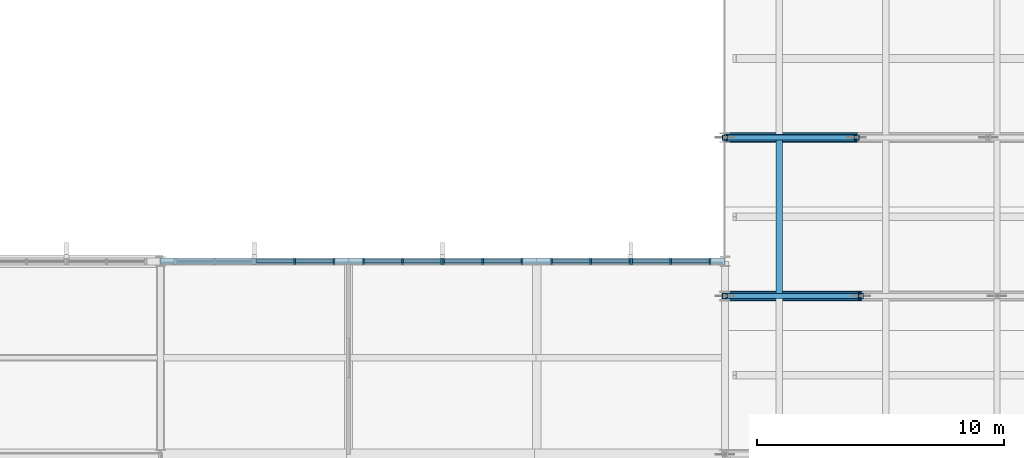
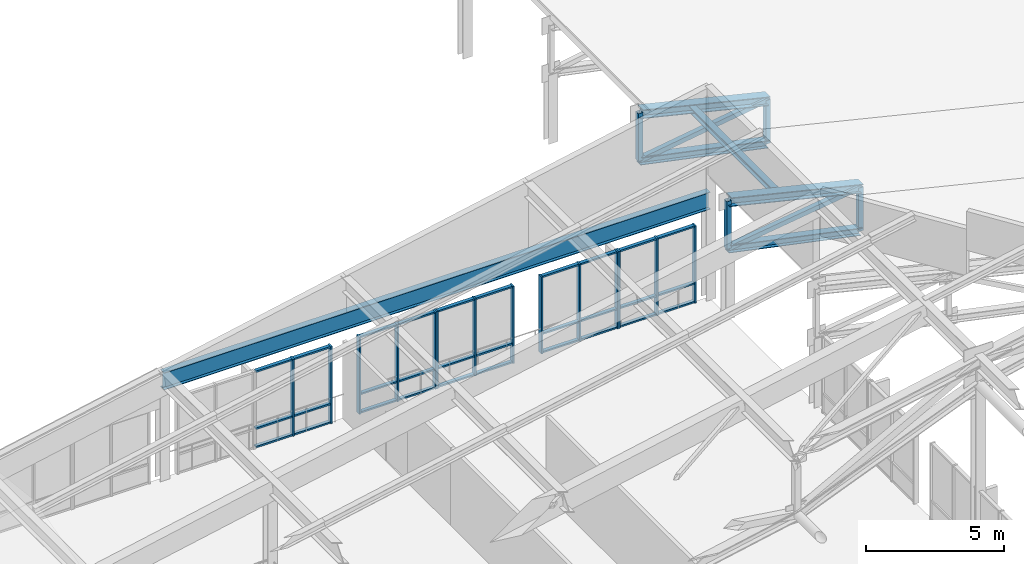
# One storey, part 32 of 73: 55 members, 1 beam, 5 elements without a shape of their own.
"""IFC4 building model written with IfcOpenShell, lengths in metres."""

from ifc_helpers import new_model, si_unit, direction, frame, origin, origin_2d, place, context, subcontext, project, spatial, rectangle, hollow_rectangle, i_section, extrude, material, material_profile, profile_set, type_object, element, aggregate, save


model = new_model("IFC4")

# Units and contexts
model_context = context("Model", 3, precision=1e-05, world=origin(), true_north=direction((0.0, 1.0)))
body_context = subcontext(model_context, "Body", "Model", "MODEL_VIEW")
ifc_project = project(units=[si_unit("LENGTHUNIT", "METRE"), si_unit("AREAUNIT", "SQUARE_METRE"), si_unit("VOLUMEUNIT", "CUBIC_METRE"), si_unit("PLANEANGLEUNIT", "RADIAN"), si_unit("MASSUNIT", "GRAM", prefix="KILO")], contexts=[model_context])

# Site, building, storey
site_placement = place(None, origin())
site = spatial("IfcSite", under=ifc_project, at=site_placement, CompositionType="ELEMENT")
building_placement = place(site_placement, origin())
building = spatial("IfcBuilding", under=site, at=building_placement, Name="Vervanel Yard Central Library", CompositionType="ELEMENT")
storey_placement = place(building_placement, frame((0.0, 0.0, 12.780029296875)))
storey = spatial("IfcBuildingStorey", under=building, at=storey_placement, Name="L03", CompositionType="ELEMENT", Elevation=12.780029296875)

# Members
ifc_material_1 = material(Name="Steel ASTM A992 Grade 50", Category="steel")
ifc_material_profile_1 = material_profile(ifc_material_1, i_section(OverallWidth=0.256591796875, OverallDepth=0.26416015625, WebThickness=0.011962890625, FlangeThickness=0.01953125, at=origin_2d()), Name="W10X68", Category="steel")
ifc_profile_set_1 = profile_set([ifc_material_profile_1], Name="Steel ASTM A992 Grade 50")
member_type_1 = type_object("IfcMemberType", Name="Auditorium Roof Purlin W10X68", PredefinedType="PURLIN", material=ifc_profile_set_1)
member_1_placement = place(storey_placement, frame((148.199951171875, 80.800048828125, 4.530029296875), z_axis=(0.0, 1.0, 0.0), x_axis=(-1.0, 0.0, 0.0)))
element("IfcMember", 1, at=member_1_placement, inside=storey, type_object=member_type_1, Name="Auditorium Roof Purlin X=148.2 Y=80.8-87.2", PredefinedType="PURLIN", context=body_context, shape_type="SweptSolid", body=[
    extrude(i_section(OverallWidth=0.256591796875, OverallDepth=0.26416015625, WebThickness=0.011962890625, FlangeThickness=0.01953125, at=origin_2d()), origin(), (0.0, 0.0, 1.0), 6.39990234375),
])
ifc_material_profile_2 = material_profile(ifc_material_1, i_section(OverallWidth=0.309814453125, OverallDepth=0.32763671875, WebThickness=0.015380859375, FlangeThickness=0.025146484375, at=origin_2d()), Name="W12X106", Category="steel")
ifc_profile_set_2 = profile_set([ifc_material_profile_2], Name="Steel ASTM A992 Grade 50")
member_type_2 = type_object("IfcMemberType", Name="Auditorium Roof Truss Bottom Chord W12X106", PredefinedType="CHORD", material=ifc_profile_set_2)
member_2_placement = place(storey_placement, frame((146.0, 80.800048828125, 3.0400390625), z_axis=(0.978826877737, 0.0, -0.204689871317), x_axis=(0.0, 1.0, 0.0)))
element("IfcMember", 2, at=member_2_placement, inside=storey, type_object=member_type_2, Name="Auditorium Truss 2 Bottom Chord 1", PredefinedType="CHORD", context=body_context, shape_type="SweptSolid", body=[
    extrude(i_section(OverallWidth=0.309814453125, OverallDepth=0.32763671875, WebThickness=0.015380859375, FlangeThickness=0.025146484375, at=origin_2d()), origin(), (0.0, 0.0, 1.0), 5.618896484375),
])
member_3_placement = place(storey_placement, frame((146.0, 87.199951171875, 3.0400390625), z_axis=(0.979033787707, 0.0, -0.203697919793), x_axis=(0.0, 1.0, 0.0)))
element("IfcMember", 3, at=member_3_placement, inside=storey, type_object=member_type_2, Name="Auditorium Truss 3 Bottom Chord 1", PredefinedType="CHORD", context=body_context, shape_type="SweptSolid", body=[
    extrude(i_section(OverallWidth=0.309814453125, OverallDepth=0.32763671875, WebThickness=0.015380859375, FlangeThickness=0.025146484375, at=origin_2d()), origin(), (0.0, 0.0, 1.0), 5.43896484375),
])
ifc_material_profile_3 = material_profile(ifc_material_1, i_section(OverallWidth=0.396240234375, OverallDepth=0.381103515625, WebThickness=0.01904296875, FlangeThickness=0.0302734375, at=origin_2d()), Name="W14X159", Category="steel")
ifc_profile_set_3 = profile_set([ifc_material_profile_3], Name="Steel ASTM A992 Grade 50")
member_type_3 = type_object("IfcMemberType", Name="Auditorium Roof Truss Chord W14X159", PredefinedType="CHORD", material=ifc_profile_set_3)
member_4_placement = place(storey_placement, frame((146.0, 80.800048828125, 5.139892578125), z_axis=(0.972188346998, 0.0, -0.234200379934), x_axis=(0.0, 1.0, 0.0)))
element("IfcMember", 4, at=member_4_placement, inside=storey, type_object=member_type_3, Name="Auditorium Truss 2 Top Chord 1", PredefinedType="CHORD", context=body_context, shape_type="SweptSolid", body=[
    extrude(i_section(OverallWidth=0.396240234375, OverallDepth=0.381103515625, WebThickness=0.01904296875, FlangeThickness=0.0302734375, at=origin_2d()), origin(), (0.0, 0.0, 1.0), 5.6572265625),
])
member_5_placement = place(storey_placement, frame((146.0, 87.199951171875, 5.139892578125), z_axis=(0.97219113325, 0.0, -0.234188813631), x_axis=(0.0, 1.0, 0.0)))
element("IfcMember", 5, at=member_5_placement, inside=storey, type_object=member_type_3, Name="Auditorium Truss 3 Top Chord 1", PredefinedType="CHORD", context=body_context, shape_type="SweptSolid", body=[
    extrude(i_section(OverallWidth=0.396240234375, OverallDepth=0.381103515625, WebThickness=0.01904296875, FlangeThickness=0.0302734375, at=origin_2d()), origin(), (0.0, 0.0, 1.0), 5.477294921875),
])
ifc_material_2 = material(Name="Steel ASTM A500 Grade C", Category="steel")
ifc_material_profile_4 = material_profile(ifc_material_2, hollow_rectangle(XDim=0.203125, YDim=0.203125, WallThickness=0.01171875, at=origin_2d()), Name="HSS8X8X1/2", Category="steel")
ifc_profile_set_4 = profile_set([ifc_material_profile_4], Name="Steel ASTM A500 Grade C")
member_type_4 = type_object("IfcMemberType", Name="Auditorium Truss Web Diagonal HSS8X8X1/2", PredefinedType="BRACE", material=ifc_profile_set_4)
member_6_placement = place(storey_placement, frame((146.0, 80.800048828125, 3.0400390625), z_axis=(0.990220177154, 0.0, 0.139513442928), x_axis=(0.0, 1.0, 0.0)))
element("IfcMember", 6, at=member_6_placement, inside=storey, type_object=member_type_4, Name="Auditorium Truss 2 Web Diagonal 1", PredefinedType="BRACE", context=body_context, shape_type="SweptSolid", body=[
    extrude(hollow_rectangle(XDim=0.203125, YDim=0.203125, WallThickness=0.01171875, at=origin_2d()), origin(), (0.0, 0.0, 1.0), 5.55419921875),
])
member_7_placement = place(storey_placement, frame((146.0, 80.800048828125, 3.0400390625), z_axis=(0.0, 0.0, 1.0), x_axis=(1.0, 0.0, 0.0)))
element("IfcMember", 7, at=member_7_placement, inside=storey, type_object=member_type_4, Name="Auditorium Truss 2 Vertical 1", PredefinedType="BRACE", context=body_context, shape_type="SweptSolid", body=[
    extrude(hollow_rectangle(XDim=0.203125, YDim=0.203125, WallThickness=0.01171875, at=origin_2d()), origin(), (0.0, 0.0, 1.0), 2.099853515625),
])
member_8_placement = place(storey_placement, frame((151.5, 80.800048828125, 1.889892578125), z_axis=(0.0, 0.0, 1.0), x_axis=(1.0, 0.0, 0.0)))
element("IfcMember", 8, at=member_8_placement, inside=storey, type_object=member_type_4, Name="Auditorium Truss 2 Vertical 2", PredefinedType="BRACE", context=body_context, shape_type="SweptSolid", body=[
    extrude(hollow_rectangle(XDim=0.203125, YDim=0.203125, WallThickness=0.01171875, at=origin_2d()), origin(), (0.0, 0.0, 1.0), 1.925048828125),
])
member_9_placement = place(storey_placement, frame((146.0, 87.199951171875, 3.0400390625), z_axis=(0.988429779037, 0.0, 0.15167917429), x_axis=(0.0, 1.0, 0.0)))
element("IfcMember", 9, at=member_9_placement, inside=storey, type_object=member_type_4, Name="Auditorium Truss 3 Web Diagonal 1", PredefinedType="BRACE", context=body_context, shape_type="SweptSolid", body=[
    extrude(hollow_rectangle(XDim=0.203125, YDim=0.203125, WallThickness=0.01171875, at=origin_2d()), origin(), (0.0, 0.0, 1.0), 5.38720703125),
])
member_10_placement = place(storey_placement, frame((146.0, 87.199951171875, 3.0400390625), z_axis=(0.0, 0.0, 1.0), x_axis=(1.0, 0.0, 0.0)))
element("IfcMember", 10, at=member_10_placement, inside=storey, type_object=member_type_4, Name="Auditorium Truss 3 Vertical 1", PredefinedType="BRACE", context=body_context, shape_type="SweptSolid", body=[
    extrude(hollow_rectangle(XDim=0.203125, YDim=0.203125, WallThickness=0.01171875, at=origin_2d()), origin(), (0.0, 0.0, 1.0), 2.099853515625),
])
member_11_placement = place(storey_placement, frame((151.324951171875, 87.199951171875, 1.93212890625), z_axis=(0.0, 0.0, 1.0), x_axis=(1.0, 0.0, 0.0)))
element("IfcMember", 11, at=member_11_placement, inside=storey, type_object=member_type_4, Name="Auditorium Truss 3 Vertical 2", PredefinedType="BRACE", context=body_context, shape_type="SweptSolid", body=[
    extrude(hollow_rectangle(XDim=0.203125, YDim=0.203125, WallThickness=0.01171875, at=origin_2d()), origin(), (0.0, 0.0, 1.0), 1.925048828125),
])

# Curtain wall, members
ifc_material_3 = material(Name="Thermally broken anodized aluminium 6063-T6", Category="aluminium")
curtain_wall_type = type_object("IfcCurtainWallType", Name="Prow Cantilever Glazed Curtain Wall", PredefinedType="NOTDEFINED", material=ifc_material_3)
curtain_wall_1_placement = place(storey_placement, origin())
curtain_wall_1 = element("IfcCurtainWall", 12, at=curtain_wall_1_placement, inside=storey, type_object=curtain_wall_type, Name="L03 Prow Cantilever Glazed Curtain Wall CWR-L03-113", PredefinedType="NOTDEFINED")
ifc_material_profile_5 = material_profile(ifc_material_3, rectangle(XDim=0.070068359375, YDim=0.219970703125, at=origin_2d()), Name="ALU 70x220", Category="aluminium")
ifc_profile_set_5 = profile_set([ifc_material_profile_5], Name="Thermally broken anodized aluminium 6063-T6")
member_type_5 = type_object("IfcMemberType", Name="Reading Hall Deep Mullion 70x220", PredefinedType="MULLION", material=ifc_profile_set_5)
member_12_placement = place(storey_placement, frame((128.6201171875, 82.199951171875, 0.0), z_axis=(0.0, 0.0, 1.0), x_axis=(1.0, 0.0, 0.0)))
member_12 = element("IfcMember", 13, at=member_12_placement, type_object=member_type_5, Name="CWR-L03-113 Mullion 2", PredefinedType="MULLION", context=body_context, shape_type="SweptSolid", body=[
    extrude(rectangle(XDim=0.070068359375, YDim=0.219970703125, at=origin_2d()), origin(), (0.0, 0.0, 1.0), 3.39990234375),
])
member_13_placement = place(storey_placement, frame((130.205078125, 82.199951171875, 0.0), z_axis=(0.0, 0.0, 1.0), x_axis=(1.0, 0.0, 0.0)))
member_13 = element("IfcMember", 14, at=member_13_placement, type_object=member_type_5, Name="CWR-L03-113 Mullion 3", PredefinedType="MULLION", context=body_context, shape_type="SweptSolid", body=[
    extrude(rectangle(XDim=0.070068359375, YDim=0.219970703125, at=origin_2d()), origin(), (0.0, 0.0, 1.0), 3.39990234375),
])

curtain_wall_2_placement = place(storey_placement, origin())
curtain_wall_2 = element("IfcCurtainWall", 15, at=curtain_wall_2_placement, inside=storey, type_object=curtain_wall_type, Name="L03 Prow Cantilever Glazed Curtain Wall CWR-L03-114", PredefinedType="NOTDEFINED")
member_14_placement = place(storey_placement, frame((131.39501953125, 82.199951171875, 0.0), z_axis=(0.0, 0.0, 1.0), x_axis=(1.0, 0.0, 0.0)))
member_14 = element("IfcMember", 16, at=member_14_placement, type_object=member_type_5, Name="CWR-L03-114 Mullion 1", PredefinedType="MULLION", context=body_context, shape_type="SweptSolid", body=[
    extrude(rectangle(XDim=0.070068359375, YDim=0.219970703125, at=origin_2d()), origin(), (0.0, 0.0, 1.0), 3.39990234375),
])
member_15_placement = place(storey_placement, frame((132.97998046875, 82.199951171875, 0.0), z_axis=(0.0, 0.0, 1.0), x_axis=(1.0, 0.0, 0.0)))
member_15 = element("IfcMember", 17, at=member_15_placement, type_object=member_type_5, Name="CWR-L03-114 Mullion 2", PredefinedType="MULLION", context=body_context, shape_type="SweptSolid", body=[
    extrude(rectangle(XDim=0.070068359375, YDim=0.219970703125, at=origin_2d()), origin(), (0.0, 0.0, 1.0), 3.39990234375),
])
member_16_placement = place(storey_placement, frame((134.56494140625, 82.199951171875, 0.0), z_axis=(0.0, 0.0, 1.0), x_axis=(1.0, 0.0, 0.0)))
member_16 = element("IfcMember", 18, at=member_16_placement, type_object=member_type_5, Name="CWR-L03-114 Mullion 3", PredefinedType="MULLION", context=body_context, shape_type="SweptSolid", body=[
    extrude(rectangle(XDim=0.070068359375, YDim=0.219970703125, at=origin_2d()), origin(), (0.0, 0.0, 1.0), 3.39990234375),
])

curtain_wall_3_placement = place(storey_placement, origin())
curtain_wall_3 = element("IfcCurtainWall", 19, at=curtain_wall_3_placement, inside=storey, type_object=curtain_wall_type, Name="L03 Prow Cantilever Glazed Curtain Wall CWR-L03-115", PredefinedType="NOTDEFINED")
member_17_placement = place(storey_placement, frame((134.635009765625, 82.199951171875, 0.0), z_axis=(0.0, 0.0, 1.0), x_axis=(1.0, 0.0, 0.0)))
member_17 = element("IfcMember", 20, at=member_17_placement, type_object=member_type_5, Name="CWR-L03-115 Mullion 1", PredefinedType="MULLION", context=body_context, shape_type="SweptSolid", body=[
    extrude(rectangle(XDim=0.070068359375, YDim=0.219970703125, at=origin_2d()), origin(), (0.0, 0.0, 1.0), 3.39990234375),
])
member_18_placement = place(storey_placement, frame((136.219970703125, 82.199951171875, 0.0), z_axis=(0.0, 0.0, 1.0), x_axis=(1.0, 0.0, 0.0)))
member_18 = element("IfcMember", 21, at=member_18_placement, type_object=member_type_5, Name="CWR-L03-115 Mullion 2", PredefinedType="MULLION", context=body_context, shape_type="SweptSolid", body=[
    extrude(rectangle(XDim=0.070068359375, YDim=0.219970703125, at=origin_2d()), origin(), (0.0, 0.0, 1.0), 3.39990234375),
])
member_19_placement = place(storey_placement, frame((137.804931640625, 82.199951171875, 0.0), z_axis=(0.0, 0.0, 1.0), x_axis=(1.0, 0.0, 0.0)))
member_19 = element("IfcMember", 22, at=member_19_placement, type_object=member_type_5, Name="CWR-L03-115 Mullion 3", PredefinedType="MULLION", context=body_context, shape_type="SweptSolid", body=[
    extrude(rectangle(XDim=0.070068359375, YDim=0.219970703125, at=origin_2d()), origin(), (0.0, 0.0, 1.0), 3.39990234375),
])

curtain_wall_4_placement = place(storey_placement, origin())
curtain_wall_4 = element("IfcCurtainWall", 23, at=curtain_wall_4_placement, inside=storey, type_object=curtain_wall_type, Name="L03 Prow Cantilever Glazed Curtain Wall CWR-L03-116", PredefinedType="NOTDEFINED")
member_20_placement = place(storey_placement, frame((138.9951171875, 82.199951171875, 0.0), z_axis=(0.0, 0.0, 1.0), x_axis=(1.0, 0.0, 0.0)))
member_20 = element("IfcMember", 24, at=member_20_placement, type_object=member_type_5, Name="CWR-L03-116 Mullion 1", PredefinedType="MULLION", context=body_context, shape_type="SweptSolid", body=[
    extrude(rectangle(XDim=0.070068359375, YDim=0.219970703125, at=origin_2d()), origin(), (0.0, 0.0, 1.0), 3.39990234375),
])
member_21_placement = place(storey_placement, frame((140.580078125, 82.199951171875, 0.0), z_axis=(0.0, 0.0, 1.0), x_axis=(1.0, 0.0, 0.0)))
member_21 = element("IfcMember", 25, at=member_21_placement, type_object=member_type_5, Name="CWR-L03-116 Mullion 2", PredefinedType="MULLION", context=body_context, shape_type="SweptSolid", body=[
    extrude(rectangle(XDim=0.070068359375, YDim=0.219970703125, at=origin_2d()), origin(), (0.0, 0.0, 1.0), 3.39990234375),
])
member_22_placement = place(storey_placement, frame((142.1650390625, 82.199951171875, 0.0), z_axis=(0.0, 0.0, 1.0), x_axis=(1.0, 0.0, 0.0)))
member_22 = element("IfcMember", 26, at=member_22_placement, type_object=member_type_5, Name="CWR-L03-116 Mullion 3", PredefinedType="MULLION", context=body_context, shape_type="SweptSolid", body=[
    extrude(rectangle(XDim=0.070068359375, YDim=0.219970703125, at=origin_2d()), origin(), (0.0, 0.0, 1.0), 3.39990234375),
])

curtain_wall_5_placement = place(storey_placement, origin())
curtain_wall_5 = element("IfcCurtainWall", 27, at=curtain_wall_5_placement, inside=storey, type_object=curtain_wall_type, Name="L03 Prow Cantilever Glazed Curtain Wall CWR-L03-117", PredefinedType="NOTDEFINED")
member_23_placement = place(storey_placement, frame((142.235107421875, 82.199951171875, 0.0), z_axis=(0.0, 0.0, 1.0), x_axis=(1.0, 0.0, 0.0)))
member_23 = element("IfcMember", 28, at=member_23_placement, type_object=member_type_5, Name="CWR-L03-117 Mullion 1", PredefinedType="MULLION", context=body_context, shape_type="SweptSolid", body=[
    extrude(rectangle(XDim=0.070068359375, YDim=0.219970703125, at=origin_2d()), origin(), (0.0, 0.0, 1.0), 3.39990234375),
])
member_24_placement = place(storey_placement, frame((143.820068359375, 82.199951171875, 0.0), z_axis=(0.0, 0.0, 1.0), x_axis=(1.0, 0.0, 0.0)))
member_24 = element("IfcMember", 29, at=member_24_placement, type_object=member_type_5, Name="CWR-L03-117 Mullion 2", PredefinedType="MULLION", context=body_context, shape_type="SweptSolid", body=[
    extrude(rectangle(XDim=0.070068359375, YDim=0.219970703125, at=origin_2d()), origin(), (0.0, 0.0, 1.0), 3.39990234375),
])
member_25_placement = place(storey_placement, frame((145.405029296875, 82.199951171875, 0.0), z_axis=(0.0, 0.0, 1.0), x_axis=(1.0, 0.0, 0.0)))
member_25 = element("IfcMember", 30, at=member_25_placement, type_object=member_type_5, Name="CWR-L03-117 Mullion 3", PredefinedType="MULLION", context=body_context, shape_type="SweptSolid", body=[
    extrude(rectangle(XDim=0.070068359375, YDim=0.219970703125, at=origin_2d()), origin(), (0.0, 0.0, 1.0), 3.39990234375),
])

# Member
ifc_material_profile_6 = material_profile(ifc_material_3, rectangle(XDim=0.070068359375, YDim=0.14990234375, at=origin_2d()), Name="ALU 70x150", Category="aluminium")
ifc_profile_set_6 = profile_set([ifc_material_profile_6], Name="Thermally broken anodized aluminium 6063-T6")
member_type_6 = type_object("IfcMemberType", Name="Reading Hall Deep Transom 70x150", PredefinedType="NOTDEFINED", material=ifc_profile_set_6)
member_26_placement = place(storey_placement, frame((127.070068359375, 82.199951171875, 0.034912109375), z_axis=(1.0, 0.0, 0.0), x_axis=(0.0, 0.0, 1.0)))
member_26 = element("IfcMember", 31, at=member_26_placement, type_object=member_type_6, Name="CWR-L03-113 Transom B1-T1", ObjectType="TRANSOM", PredefinedType="USERDEFINED", context=body_context, shape_type="SweptSolid", body=[
    extrude(rectangle(XDim=0.070068359375, YDim=0.14990234375, at=origin_2d()), origin(), (0.0, 0.0, 1.0), 1.514892578125),
])

member_27_placement = place(storey_placement, frame((127.070068359375, 82.199951171875, 0.849853515625), z_axis=(1.0, 0.0, 0.0), x_axis=(0.0, 0.0, 1.0)))
member_27 = element("IfcMember", 32, at=member_27_placement, type_object=member_type_6, Name="CWR-L03-113 Transom B1-T2", ObjectType="TRANSOM", PredefinedType="USERDEFINED", context=body_context, shape_type="SweptSolid", body=[
    extrude(rectangle(XDim=0.070068359375, YDim=0.14990234375, at=origin_2d()), origin(), (0.0, 0.0, 1.0), 1.514892578125),
])

member_28_placement = place(storey_placement, frame((127.070068359375, 82.199951171875, 3.364990234375), z_axis=(1.0, 0.0, 0.0), x_axis=(0.0, 0.0, 1.0)))
member_28 = element("IfcMember", 33, at=member_28_placement, type_object=member_type_6, Name="CWR-L03-113 Transom B1-T3", ObjectType="TRANSOM", PredefinedType="USERDEFINED", context=body_context, shape_type="SweptSolid", body=[
    extrude(rectangle(XDim=0.070068359375, YDim=0.14990234375, at=origin_2d()), origin(), (0.0, 0.0, 1.0), 1.514892578125),
])

member_29_placement = place(storey_placement, frame((128.655029296875, 82.199951171875, 0.034912109375), z_axis=(1.0, 0.0, 0.0), x_axis=(0.0, 0.0, 1.0)))
member_29 = element("IfcMember", 34, at=member_29_placement, type_object=member_type_6, Name="CWR-L03-113 Transom B2-T1", ObjectType="TRANSOM", PredefinedType="USERDEFINED", context=body_context, shape_type="SweptSolid", body=[
    extrude(rectangle(XDim=0.070068359375, YDim=0.14990234375, at=origin_2d()), origin(), (0.0, 0.0, 1.0), 1.514892578125),
])

member_30_placement = place(storey_placement, frame((128.655029296875, 82.199951171875, 0.849853515625), z_axis=(1.0, 0.0, 0.0), x_axis=(0.0, 0.0, 1.0)))
member_30 = element("IfcMember", 35, at=member_30_placement, type_object=member_type_6, Name="CWR-L03-113 Transom B2-T2", ObjectType="TRANSOM", PredefinedType="USERDEFINED", context=body_context, shape_type="SweptSolid", body=[
    extrude(rectangle(XDim=0.070068359375, YDim=0.14990234375, at=origin_2d()), origin(), (0.0, 0.0, 1.0), 1.514892578125),
])

member_31_placement = place(storey_placement, frame((128.655029296875, 82.199951171875, 3.364990234375), z_axis=(1.0, 0.0, 0.0), x_axis=(0.0, 0.0, 1.0)))
member_31 = element("IfcMember", 36, at=member_31_placement, type_object=member_type_6, Name="CWR-L03-113 Transom B2-T3", ObjectType="TRANSOM", PredefinedType="USERDEFINED", context=body_context, shape_type="SweptSolid", body=[
    extrude(rectangle(XDim=0.070068359375, YDim=0.14990234375, at=origin_2d()), origin(), (0.0, 0.0, 1.0), 1.514892578125),
])

aggregate(curtain_wall_1, [member_12, member_13, member_26, member_27, member_28, member_29, member_30, member_31])

member_32_placement = place(storey_placement, frame((131.429931640625, 82.199951171875, 0.034912109375), z_axis=(1.0, 0.0, 0.0), x_axis=(0.0, 0.0, 1.0)))
member_32 = element("IfcMember", 37, at=member_32_placement, type_object=member_type_6, Name="CWR-L03-114 Transom B1-T1", ObjectType="TRANSOM", PredefinedType="USERDEFINED", context=body_context, shape_type="SweptSolid", body=[
    extrude(rectangle(XDim=0.070068359375, YDim=0.14990234375, at=origin_2d()), origin(), (0.0, 0.0, 1.0), 1.51513671875),
])

member_33_placement = place(storey_placement, frame((131.429931640625, 82.199951171875, 0.849853515625), z_axis=(1.0, 0.0, 0.0), x_axis=(0.0, 0.0, 1.0)))
member_33 = element("IfcMember", 38, at=member_33_placement, type_object=member_type_6, Name="CWR-L03-114 Transom B1-T2", ObjectType="TRANSOM", PredefinedType="USERDEFINED", context=body_context, shape_type="SweptSolid", body=[
    extrude(rectangle(XDim=0.070068359375, YDim=0.14990234375, at=origin_2d()), origin(), (0.0, 0.0, 1.0), 1.51513671875),
])

member_34_placement = place(storey_placement, frame((131.429931640625, 82.199951171875, 3.364990234375), z_axis=(1.0, 0.0, 0.0), x_axis=(0.0, 0.0, 1.0)))
member_34 = element("IfcMember", 39, at=member_34_placement, type_object=member_type_6, Name="CWR-L03-114 Transom B1-T3", ObjectType="TRANSOM", PredefinedType="USERDEFINED", context=body_context, shape_type="SweptSolid", body=[
    extrude(rectangle(XDim=0.070068359375, YDim=0.14990234375, at=origin_2d()), origin(), (0.0, 0.0, 1.0), 1.51513671875),
])

member_35_placement = place(storey_placement, frame((133.014892578125, 82.199951171875, 0.034912109375), z_axis=(1.0, 0.0, 0.0), x_axis=(0.0, 0.0, 1.0)))
member_35 = element("IfcMember", 40, at=member_35_placement, type_object=member_type_6, Name="CWR-L03-114 Transom B2-T1", ObjectType="TRANSOM", PredefinedType="USERDEFINED", context=body_context, shape_type="SweptSolid", body=[
    extrude(rectangle(XDim=0.070068359375, YDim=0.14990234375, at=origin_2d()), origin(), (0.0, 0.0, 1.0), 1.51513671875),
])

member_36_placement = place(storey_placement, frame((133.014892578125, 82.199951171875, 0.849853515625), z_axis=(1.0, 0.0, 0.0), x_axis=(0.0, 0.0, 1.0)))
member_36 = element("IfcMember", 41, at=member_36_placement, type_object=member_type_6, Name="CWR-L03-114 Transom B2-T2", ObjectType="TRANSOM", PredefinedType="USERDEFINED", context=body_context, shape_type="SweptSolid", body=[
    extrude(rectangle(XDim=0.070068359375, YDim=0.14990234375, at=origin_2d()), origin(), (0.0, 0.0, 1.0), 1.51513671875),
])

member_37_placement = place(storey_placement, frame((133.014892578125, 82.199951171875, 3.364990234375), z_axis=(1.0, 0.0, 0.0), x_axis=(0.0, 0.0, 1.0)))
member_37 = element("IfcMember", 42, at=member_37_placement, type_object=member_type_6, Name="CWR-L03-114 Transom B2-T3", ObjectType="TRANSOM", PredefinedType="USERDEFINED", context=body_context, shape_type="SweptSolid", body=[
    extrude(rectangle(XDim=0.070068359375, YDim=0.14990234375, at=origin_2d()), origin(), (0.0, 0.0, 1.0), 1.51513671875),
])

aggregate(curtain_wall_2, [member_14, member_15, member_16, member_32, member_33, member_34, member_35, member_36, member_37])

member_38_placement = place(storey_placement, frame((134.669921875, 82.199951171875, 0.034912109375), z_axis=(1.0, 0.0, 0.0), x_axis=(0.0, 0.0, 1.0)))
member_38 = element("IfcMember", 43, at=member_38_placement, type_object=member_type_6, Name="CWR-L03-115 Transom B1-T1", ObjectType="TRANSOM", PredefinedType="USERDEFINED", context=body_context, shape_type="SweptSolid", body=[
    extrude(rectangle(XDim=0.070068359375, YDim=0.14990234375, at=origin_2d()), origin(), (0.0, 0.0, 1.0), 1.51513671875),
])

member_39_placement = place(storey_placement, frame((134.669921875, 82.199951171875, 0.849853515625), z_axis=(1.0, 0.0, 0.0), x_axis=(0.0, 0.0, 1.0)))
member_39 = element("IfcMember", 44, at=member_39_placement, type_object=member_type_6, Name="CWR-L03-115 Transom B1-T2", ObjectType="TRANSOM", PredefinedType="USERDEFINED", context=body_context, shape_type="SweptSolid", body=[
    extrude(rectangle(XDim=0.070068359375, YDim=0.14990234375, at=origin_2d()), origin(), (0.0, 0.0, 1.0), 1.51513671875),
])

member_40_placement = place(storey_placement, frame((134.669921875, 82.199951171875, 3.364990234375), z_axis=(1.0, 0.0, 0.0), x_axis=(0.0, 0.0, 1.0)))
member_40 = element("IfcMember", 45, at=member_40_placement, type_object=member_type_6, Name="CWR-L03-115 Transom B1-T3", ObjectType="TRANSOM", PredefinedType="USERDEFINED", context=body_context, shape_type="SweptSolid", body=[
    extrude(rectangle(XDim=0.070068359375, YDim=0.14990234375, at=origin_2d()), origin(), (0.0, 0.0, 1.0), 1.51513671875),
])

member_41_placement = place(storey_placement, frame((136.2548828125, 82.199951171875, 0.034912109375), z_axis=(1.0, 0.0, 0.0), x_axis=(0.0, 0.0, 1.0)))
member_41 = element("IfcMember", 46, at=member_41_placement, type_object=member_type_6, Name="CWR-L03-115 Transom B2-T1", ObjectType="TRANSOM", PredefinedType="USERDEFINED", context=body_context, shape_type="SweptSolid", body=[
    extrude(rectangle(XDim=0.070068359375, YDim=0.14990234375, at=origin_2d()), origin(), (0.0, 0.0, 1.0), 1.51513671875),
])

member_42_placement = place(storey_placement, frame((136.2548828125, 82.199951171875, 0.849853515625), z_axis=(1.0, 0.0, 0.0), x_axis=(0.0, 0.0, 1.0)))
member_42 = element("IfcMember", 47, at=member_42_placement, type_object=member_type_6, Name="CWR-L03-115 Transom B2-T2", ObjectType="TRANSOM", PredefinedType="USERDEFINED", context=body_context, shape_type="SweptSolid", body=[
    extrude(rectangle(XDim=0.070068359375, YDim=0.14990234375, at=origin_2d()), origin(), (0.0, 0.0, 1.0), 1.51513671875),
])

member_43_placement = place(storey_placement, frame((136.2548828125, 82.199951171875, 3.364990234375), z_axis=(1.0, 0.0, 0.0), x_axis=(0.0, 0.0, 1.0)))
member_43 = element("IfcMember", 48, at=member_43_placement, type_object=member_type_6, Name="CWR-L03-115 Transom B2-T3", ObjectType="TRANSOM", PredefinedType="USERDEFINED", context=body_context, shape_type="SweptSolid", body=[
    extrude(rectangle(XDim=0.070068359375, YDim=0.14990234375, at=origin_2d()), origin(), (0.0, 0.0, 1.0), 1.51513671875),
])

aggregate(curtain_wall_3, [member_17, member_18, member_19, member_38, member_39, member_40, member_41, member_42, member_43])

member_44_placement = place(storey_placement, frame((139.030029296875, 82.199951171875, 0.034912109375), z_axis=(1.0, 0.0, 0.0), x_axis=(0.0, 0.0, 1.0)))
member_44 = element("IfcMember", 49, at=member_44_placement, type_object=member_type_6, Name="CWR-L03-116 Transom B1-T1", ObjectType="TRANSOM", PredefinedType="USERDEFINED", context=body_context, shape_type="SweptSolid", body=[
    extrude(rectangle(XDim=0.070068359375, YDim=0.14990234375, at=origin_2d()), origin(), (0.0, 0.0, 1.0), 1.514892578125),
])

member_45_placement = place(storey_placement, frame((139.030029296875, 82.199951171875, 0.849853515625), z_axis=(1.0, 0.0, 0.0), x_axis=(0.0, 0.0, 1.0)))
member_45 = element("IfcMember", 50, at=member_45_placement, type_object=member_type_6, Name="CWR-L03-116 Transom B1-T2", ObjectType="TRANSOM", PredefinedType="USERDEFINED", context=body_context, shape_type="SweptSolid", body=[
    extrude(rectangle(XDim=0.070068359375, YDim=0.14990234375, at=origin_2d()), origin(), (0.0, 0.0, 1.0), 1.514892578125),
])

member_46_placement = place(storey_placement, frame((139.030029296875, 82.199951171875, 3.364990234375), z_axis=(1.0, 0.0, 0.0), x_axis=(0.0, 0.0, 1.0)))
member_46 = element("IfcMember", 51, at=member_46_placement, type_object=member_type_6, Name="CWR-L03-116 Transom B1-T3", ObjectType="TRANSOM", PredefinedType="USERDEFINED", context=body_context, shape_type="SweptSolid", body=[
    extrude(rectangle(XDim=0.070068359375, YDim=0.14990234375, at=origin_2d()), origin(), (0.0, 0.0, 1.0), 1.514892578125),
])

member_47_placement = place(storey_placement, frame((140.614990234375, 82.199951171875, 0.034912109375), z_axis=(1.0, 0.0, 0.0), x_axis=(0.0, 0.0, 1.0)))
member_47 = element("IfcMember", 52, at=member_47_placement, type_object=member_type_6, Name="CWR-L03-116 Transom B2-T1", ObjectType="TRANSOM", PredefinedType="USERDEFINED", context=body_context, shape_type="SweptSolid", body=[
    extrude(rectangle(XDim=0.070068359375, YDim=0.14990234375, at=origin_2d()), origin(), (0.0, 0.0, 1.0), 1.514892578125),
])

member_48_placement = place(storey_placement, frame((140.614990234375, 82.199951171875, 0.849853515625), z_axis=(1.0, 0.0, 0.0), x_axis=(0.0, 0.0, 1.0)))
member_48 = element("IfcMember", 53, at=member_48_placement, type_object=member_type_6, Name="CWR-L03-116 Transom B2-T2", ObjectType="TRANSOM", PredefinedType="USERDEFINED", context=body_context, shape_type="SweptSolid", body=[
    extrude(rectangle(XDim=0.070068359375, YDim=0.14990234375, at=origin_2d()), origin(), (0.0, 0.0, 1.0), 1.514892578125),
])

member_49_placement = place(storey_placement, frame((140.614990234375, 82.199951171875, 3.364990234375), z_axis=(1.0, 0.0, 0.0), x_axis=(0.0, 0.0, 1.0)))
member_49 = element("IfcMember", 54, at=member_49_placement, type_object=member_type_6, Name="CWR-L03-116 Transom B2-T3", ObjectType="TRANSOM", PredefinedType="USERDEFINED", context=body_context, shape_type="SweptSolid", body=[
    extrude(rectangle(XDim=0.070068359375, YDim=0.14990234375, at=origin_2d()), origin(), (0.0, 0.0, 1.0), 1.514892578125),
])

aggregate(curtain_wall_4, [member_20, member_21, member_22, member_44, member_45, member_46, member_47, member_48, member_49])

member_50_placement = place(storey_placement, frame((142.27001953125, 82.199951171875, 0.034912109375), z_axis=(1.0, 0.0, 0.0), x_axis=(0.0, 0.0, 1.0)))
member_50 = element("IfcMember", 55, at=member_50_placement, type_object=member_type_6, Name="CWR-L03-117 Transom B1-T1", ObjectType="TRANSOM", PredefinedType="USERDEFINED", context=body_context, shape_type="SweptSolid", body=[
    extrude(rectangle(XDim=0.070068359375, YDim=0.14990234375, at=origin_2d()), origin(), (0.0, 0.0, 1.0), 1.514892578125),
])

member_51_placement = place(storey_placement, frame((142.27001953125, 82.199951171875, 0.849853515625), z_axis=(1.0, 0.0, 0.0), x_axis=(0.0, 0.0, 1.0)))
member_51 = element("IfcMember", 56, at=member_51_placement, type_object=member_type_6, Name="CWR-L03-117 Transom B1-T2", ObjectType="TRANSOM", PredefinedType="USERDEFINED", context=body_context, shape_type="SweptSolid", body=[
    extrude(rectangle(XDim=0.070068359375, YDim=0.14990234375, at=origin_2d()), origin(), (0.0, 0.0, 1.0), 1.514892578125),
])

member_52_placement = place(storey_placement, frame((142.27001953125, 82.199951171875, 3.364990234375), z_axis=(1.0, 0.0, 0.0), x_axis=(0.0, 0.0, 1.0)))
member_52 = element("IfcMember", 57, at=member_52_placement, type_object=member_type_6, Name="CWR-L03-117 Transom B1-T3", ObjectType="TRANSOM", PredefinedType="USERDEFINED", context=body_context, shape_type="SweptSolid", body=[
    extrude(rectangle(XDim=0.070068359375, YDim=0.14990234375, at=origin_2d()), origin(), (0.0, 0.0, 1.0), 1.514892578125),
])

member_53_placement = place(storey_placement, frame((143.85498046875, 82.199951171875, 0.034912109375), z_axis=(1.0, 0.0, 0.0), x_axis=(0.0, 0.0, 1.0)))
member_53 = element("IfcMember", 58, at=member_53_placement, type_object=member_type_6, Name="CWR-L03-117 Transom B2-T1", ObjectType="TRANSOM", PredefinedType="USERDEFINED", context=body_context, shape_type="SweptSolid", body=[
    extrude(rectangle(XDim=0.070068359375, YDim=0.14990234375, at=origin_2d()), origin(), (0.0, 0.0, 1.0), 1.51513671875),
])

member_54_placement = place(storey_placement, frame((143.85498046875, 82.199951171875, 0.849853515625), z_axis=(1.0, 0.0, 0.0), x_axis=(0.0, 0.0, 1.0)))
member_54 = element("IfcMember", 59, at=member_54_placement, type_object=member_type_6, Name="CWR-L03-117 Transom B2-T2", ObjectType="TRANSOM", PredefinedType="USERDEFINED", context=body_context, shape_type="SweptSolid", body=[
    extrude(rectangle(XDim=0.070068359375, YDim=0.14990234375, at=origin_2d()), origin(), (0.0, 0.0, 1.0), 1.51513671875),
])

member_55_placement = place(storey_placement, frame((143.85498046875, 82.199951171875, 3.364990234375), z_axis=(1.0, 0.0, 0.0), x_axis=(0.0, 0.0, 1.0)))
member_55 = element("IfcMember", 60, at=member_55_placement, type_object=member_type_6, Name="CWR-L03-117 Transom B2-T3", ObjectType="TRANSOM", PredefinedType="USERDEFINED", context=body_context, shape_type="SweptSolid", body=[
    extrude(rectangle(XDim=0.070068359375, YDim=0.14990234375, at=origin_2d()), origin(), (0.0, 0.0, 1.0), 1.51513671875),
])

aggregate(curtain_wall_5, [member_23, member_24, member_25, member_50, member_51, member_52, member_53, member_54, member_55])

# Beam
ifc_material_profile_7 = material_profile(ifc_material_1, i_section(OverallWidth=0.2666015625, OverallDepth=0.76953125, WebThickness=0.015625, FlangeThickness=0.025390625, at=origin_2d()), Name="W30X132", Category="steel")
ifc_profile_set_7 = profile_set([ifc_material_profile_7], Name="Steel ASTM A992 Grade 50")
beam_type = type_object("IfcBeamType", Name="Steel Reading Hall Girder W30X132", PredefinedType="BEAM", material=ifc_profile_set_7)
beam_placement = place(storey_placement, frame((123.199951171875, 82.199951171875, 4.329345703125), z_axis=(1.0, 0.0, 0.0), x_axis=(0.0, 1.0, 0.0)))
element("IfcBeam", 61, at=beam_placement, inside=storey, type_object=beam_type, Name="L03 V3 Long-Span Clerestory Spandrel Girder N", PredefinedType="BEAM", context=body_context, shape_type="SweptSolid", body=[
    extrude(i_section(OverallWidth=0.2666015625, OverallDepth=0.76953125, WebThickness=0.015625, FlangeThickness=0.025390625, at=origin_2d()), origin(), (0.0, 0.0, 1.0), 22.800048828125),
])

save(model, "model.ifc")
